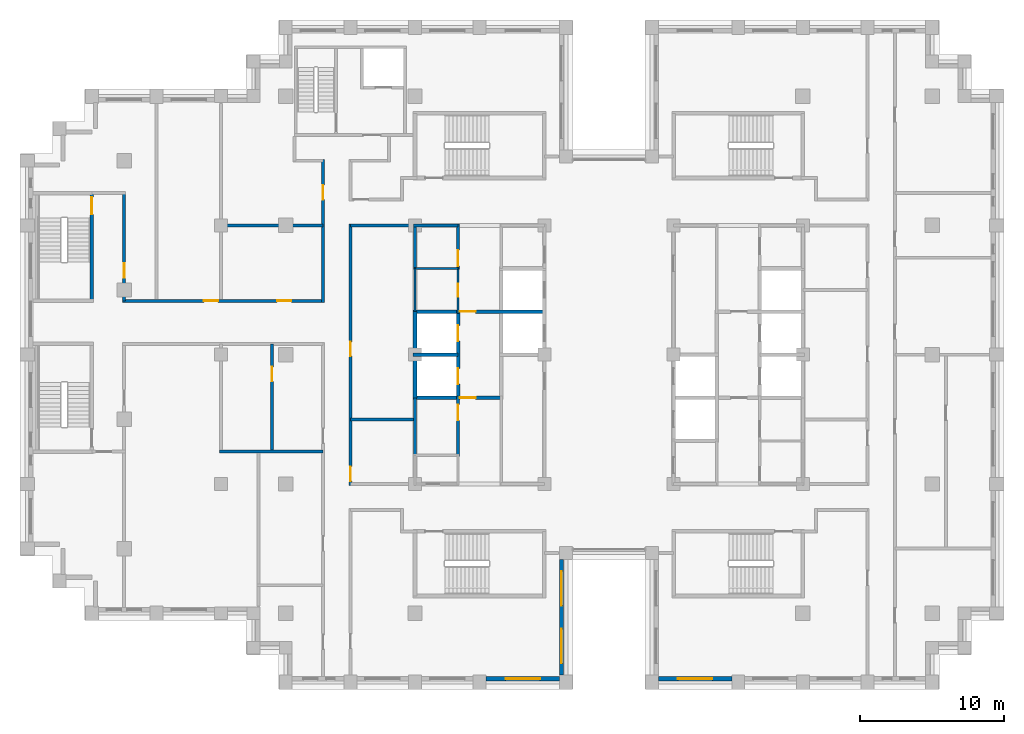
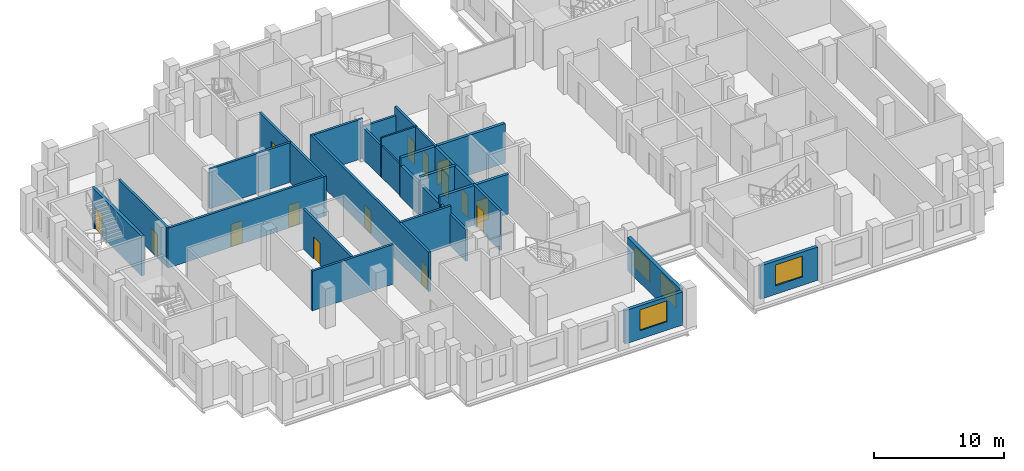
# One storey, part 7 of 15: 26 walls, 15 doors, 4 windows, 19 openings.
"""IFC4 building model written with IfcOpenShell, lengths in metres."""

from ifc_helpers import new_model, si_unit, direction, frame, frame_2d, origin, place, context, subcontext, project, spatial, rectangle, extrude, material, layer, layer_set, type_object, element, fill, save


model = new_model("IFC4")

# Units and contexts
model_context = context("Model", 3, precision=1e-05, world=origin(), true_north=direction((0.0, 1.0)))
body_context = subcontext(model_context, "Body", "Model", "MODEL_VIEW")
ifc_project = project(units=[si_unit("LENGTHUNIT", "METRE"), si_unit("AREAUNIT", "SQUARE_METRE"), si_unit("VOLUMEUNIT", "CUBIC_METRE"), si_unit("PLANEANGLEUNIT", "RADIAN"), si_unit("MASSUNIT", "GRAM", prefix="KILO")], contexts=[model_context])

# Site, building, storey
site_placement = place(None, origin())
site = spatial("IfcSite", under=ifc_project, at=site_placement, CompositionType="ELEMENT")
building_placement = place(site_placement, origin())
building = spatial("IfcBuilding", under=site, at=building_placement, Name="Corbelhall Arena Tower", CompositionType="ELEMENT")
storey_placement = place(building_placement, frame((0.0, 0.0, 192.0)))
storey = spatial("IfcBuildingStorey", under=building, at=storey_placement, Name="L39", CompositionType="ELEMENT", Elevation=192.0)

# Wall, opening, window
ifc_material_1 = material(Name="Precast concrete C40/50 with granite facing", Category="masonry")
ifc_layer_1 = layer(ifc_material_1, 0.300048828125)
ifc_layer_set_1 = layer_set([ifc_layer_1], Name="EV-IW1 Infill panel 300")
wall_type_1 = type_object("IfcWallType", Name="EV-IW1 Infill panel 300", PredefinedType="SOLIDWALL", material=ifc_layer_set_1)
wall_1_placement = place(storey_placement, frame((-8.550048828125, -22.550048828125, 0.0), z_axis=(0.0, 0.0, 1.0), x_axis=(1.0, 0.0, 0.0)))
wall_1 = element("IfcWall", 1, at=wall_1_placement, inside=storey, type_object=wall_type_1, Name="Infill panel IW1", PredefinedType="SOLIDWALL", context=body_context, shape_type="SweptSolid", body=[
    extrude(rectangle(XDim=5.10009765625, YDim=0.300048828125, at=frame_2d((2.550048828125, 0.0))), origin(), (0.0, 0.0, 1.0), 3.1201171875),
])
opening_1_placement = place(wall_1_placement, frame((1.35009765625, 0.0, 0.800048828125)))
opening_1 = element("IfcOpeningElement", 2, at=opening_1_placement, cuts=wall_1, Name="Opening WN1", PredefinedType="OPENING", context=body_context, shape_type="SweptSolid", body=[
    extrude(rectangle(XDim=2.39990234375, YDim=1.949951171875, at=frame_2d((1.199951171875, 0.97509765625))), frame((0.0, 0.14990234375, 0.0), z_axis=(0.0, -1.0, 0.0), x_axis=(1.0, 0.0, 0.0)), (0.0, 0.0, 1.0), 0.300048828125),
])
ifc_material_2 = material(Name="Aluminium black anodised", Category="aluminium")
window_type = type_object("IfcWindowType", Name="EV-WN1 Office window", PartitioningType="SINGLE_PANEL", PredefinedType="WINDOW", material=ifc_material_2)
window_1_placement = place(opening_1_placement, origin())
window_1 = element("IfcWindow", 3, at=window_1_placement, inside=storey, type_object=window_type, Name="Window WN1", OverallHeight=1.949951171875, OverallWidth=2.39990234375, PartitioningType="SINGLE_PANEL", PredefinedType="WINDOW", context=body_context, shape_type="SweptSolid", body=[
    extrude(rectangle(XDim=2.39990234375, YDim=1.949951171875, at=frame_2d((1.199951171875, 0.97509765625))), frame((0.0, 0.030029296875, 0.0), z_axis=(0.0, -1.0, 0.0), x_axis=(1.0, 0.0, 0.0)), (0.0, 0.0, 1.0), 0.06005859375),
])
fill(opening_1, window_1)

# Wall, openings, windows
wall_2_placement = place(storey_placement, frame((-3.300048828125, -22.300048828125, 0.0), z_axis=(0.0, 0.0, 1.0), x_axis=(0.0, 1.0, 0.0)))
wall_2 = element("IfcWall", 4, at=wall_2_placement, inside=storey, type_object=wall_type_1, Name="Infill panel IW1", PredefinedType="SOLIDWALL", context=body_context, shape_type="SweptSolid", body=[
    extrude(rectangle(XDim=8.050048828125, YDim=0.300048828125, at=frame_2d((4.02490234375, 0.0))), origin(), (0.0, 0.0, 1.0), 3.1201171875),
])
opening_2_placement = place(wall_2_placement, frame((0.8125, 0.0, 0.800048828125)))
opening_2 = element("IfcOpeningElement", 5, at=opening_2_placement, cuts=wall_2, Name="Opening WN1", PredefinedType="OPENING", context=body_context, shape_type="SweptSolid", body=[
    extrude(rectangle(XDim=2.39990234375, YDim=1.949951171875, at=frame_2d((1.199951171875, 0.97509765625))), frame((0.0, 0.14990234375, 0.0), z_axis=(0.0, -1.0, 0.0), x_axis=(1.0, 0.0, 0.0)), (0.0, 0.0, 1.0), 0.300048828125),
])
opening_3_placement = place(wall_2_placement, frame((4.83740234375, 0.0, 0.800048828125)))
opening_3 = element("IfcOpeningElement", 6, at=opening_3_placement, cuts=wall_2, Name="Opening WN1", PredefinedType="OPENING", context=body_context, shape_type="SweptSolid", body=[
    extrude(rectangle(XDim=2.39990234375, YDim=1.949951171875, at=frame_2d((1.199951171875, 0.97509765625))), frame((0.0, 0.14990234375, 0.0), z_axis=(0.0, -1.0, 0.0), x_axis=(1.0, 0.0, 0.0)), (0.0, 0.0, 1.0), 0.300048828125),
])
window_2_placement = place(opening_2_placement, origin())
window_2 = element("IfcWindow", 7, at=window_2_placement, inside=storey, type_object=window_type, Name="Window WN1", OverallHeight=1.949951171875, OverallWidth=2.39990234375, PartitioningType="SINGLE_PANEL", PredefinedType="WINDOW", context=body_context, shape_type="SweptSolid", body=[
    extrude(rectangle(XDim=2.39990234375, YDim=1.949951171875, at=frame_2d((1.199951171875, 0.97509765625))), frame((0.0, 0.030029296875, 0.0), z_axis=(0.0, -1.0, 0.0), x_axis=(1.0, 0.0, 0.0)), (0.0, 0.0, 1.0), 0.06005859375),
])
fill(opening_2, window_2)
window_3_placement = place(opening_3_placement, origin())
window_3 = element("IfcWindow", 8, at=window_3_placement, inside=storey, type_object=window_type, Name="Window WN1", OverallHeight=1.949951171875, OverallWidth=2.39990234375, PartitioningType="SINGLE_PANEL", PredefinedType="WINDOW", context=body_context, shape_type="SweptSolid", body=[
    extrude(rectangle(XDim=2.39990234375, YDim=1.949951171875, at=frame_2d((1.199951171875, 0.97509765625))), frame((0.0, 0.030029296875, 0.0), z_axis=(0.0, -1.0, 0.0), x_axis=(1.0, 0.0, 0.0)), (0.0, 0.0, 1.0), 0.06005859375),
])
fill(opening_3, window_3)

# Wall, opening, window
wall_3_placement = place(storey_placement, frame((3.449951171875, -22.550048828125, 0.0), z_axis=(0.0, 0.0, 1.0), x_axis=(1.0, 0.0, 0.0)))
wall_3 = element("IfcWall", 9, at=wall_3_placement, inside=storey, type_object=wall_type_1, Name="Infill panel IW1", PredefinedType="SOLIDWALL", context=body_context, shape_type="SweptSolid", body=[
    extrude(rectangle(XDim=5.10009765625, YDim=0.300048828125, at=frame_2d((2.550048828125, 0.0))), origin(), (0.0, 0.0, 1.0), 3.1201171875),
])
opening_4_placement = place(wall_3_placement, frame((1.35009765625, 0.0, 0.800048828125)))
opening_4 = element("IfcOpeningElement", 10, at=opening_4_placement, cuts=wall_3, Name="Opening WN1", PredefinedType="OPENING", context=body_context, shape_type="SweptSolid", body=[
    extrude(rectangle(XDim=2.39990234375, YDim=1.949951171875, at=frame_2d((1.199951171875, 0.97509765625))), frame((0.0, 0.14990234375, 0.0), z_axis=(0.0, -1.0, 0.0), x_axis=(1.0, 0.0, 0.0)), (0.0, 0.0, 1.0), 0.300048828125),
])
window_4_placement = place(opening_4_placement, origin())
window_4 = element("IfcWindow", 11, at=window_4_placement, inside=storey, type_object=window_type, Name="Window WN1", OverallHeight=1.949951171875, OverallWidth=2.39990234375, PartitioningType="SINGLE_PANEL", PredefinedType="WINDOW", context=body_context, shape_type="SweptSolid", body=[
    extrude(rectangle(XDim=2.39990234375, YDim=1.949951171875, at=frame_2d((1.199951171875, 0.97509765625))), frame((0.0, 0.030029296875, 0.0), z_axis=(0.0, -1.0, 0.0), x_axis=(1.0, 0.0, 0.0)), (0.0, 0.0, 1.0), 0.06005859375),
])
fill(opening_4, window_4)

# Wall, openings, doors
ifc_material_3 = material(Name="Gypsum board on steel stud, acoustic", Category="steel")
ifc_layer_2 = layer(ifc_material_3, 0.199951171875)
ifc_layer_set_2 = layer_set([ifc_layer_2], Name="IN-W-DM200")
wall_type_2 = type_object("IfcWallType", Name="IN-W-DM200", PredefinedType="PARTITIONING", material=ifc_layer_set_2)
wall_4_placement = place(storey_placement, frame((-33.85009765625, 3.75, 0.0), z_axis=(0.0, 0.0, 1.0), x_axis=(1.0, 0.0, 0.0)))
wall_4 = element("IfcWall", 12, at=wall_4_placement, inside=storey, type_object=wall_type_2, Name="Partition 002", PredefinedType="PARTITIONING", context=body_context, shape_type="SweptSolid", body=[
    extrude(rectangle(XDim=13.9501953125, YDim=0.199951171875, at=frame_2d((6.97509765625, 0.0))), origin(), (0.0, 0.0, 1.0), 3.719970703125),
])
opening_5_placement = place(wall_4_placement, frame((10.75, 0.0, 0.0)))
opening_5 = element("IfcOpeningElement", 13, at=opening_5_placement, cuts=wall_4, Name="Opening 11031", PredefinedType="OPENING", context=body_context, shape_type="SweptSolid", body=[
    extrude(rectangle(XDim=1.0, YDim=2.10009765625, at=frame_2d((0.5, 1.050048828125))), frame((0.0, 0.10009765625, 0.0), z_axis=(0.0, -1.0, 0.0), x_axis=(1.0, 0.0, 0.0)), (0.0, 0.0, 1.0), 0.199951171875),
])
opening_6_placement = place(wall_4_placement, frame((5.64990234375, 0.0, 0.0)))
opening_6 = element("IfcOpeningElement", 14, at=opening_6_placement, cuts=wall_4, Name="Opening 11044", PredefinedType="OPENING", context=body_context, shape_type="SweptSolid", body=[
    extrude(rectangle(XDim=1.0, YDim=2.10009765625, at=frame_2d((0.5, 1.050048828125))), frame((0.0, 0.10009765625, 0.0), z_axis=(0.0, -1.0, 0.0), x_axis=(1.0, 0.0, 0.0)), (0.0, 0.0, 1.0), 0.199951171875),
])
ifc_material_4 = material(Name="Steel door set", Category="steel")
door_type_1 = type_object("IfcDoorType", Name="IN-D-SW100", OperationType="NOTDEFINED", PredefinedType="DOOR", material=ifc_material_4)
door_1_placement = place(opening_5_placement, origin())
door_1 = element("IfcDoor", 15, at=door_1_placement, inside=storey, type_object=door_type_1, Name="Door 031", OperationType="SINGLE_SWING_RIGHT", OverallHeight=2.10009765625, OverallWidth=1.0, PredefinedType="DOOR", context=body_context, shape_type="SweptSolid", body=[
    extrude(rectangle(XDim=1.0, YDim=2.10009765625, at=frame_2d((0.5, 1.050048828125))), frame((0.0, 0.02490234375, 0.0), z_axis=(0.0, -1.0, 0.0), x_axis=(1.0, 0.0, 0.0)), (0.0, 0.0, 1.0), 0.050048828125),
])
fill(opening_5, door_1)
door_2_placement = place(opening_6_placement, origin())
door_2 = element("IfcDoor", 16, at=door_2_placement, inside=storey, type_object=door_type_1, Name="Door 044", OperationType="SINGLE_SWING_LEFT", OverallHeight=2.10009765625, OverallWidth=1.0, PredefinedType="DOOR", context=body_context, shape_type="SweptSolid", body=[
    extrude(rectangle(XDim=1.0, YDim=2.10009765625, at=frame_2d((0.5, 1.050048828125))), frame((0.0, 0.02490234375, 0.0), z_axis=(0.0, -1.0, 0.0), x_axis=(1.0, 0.0, 0.0)), (0.0, 0.0, 1.0), 0.050048828125),
])
fill(opening_6, door_2)

# Wall, opening, door
wall_5_placement = place(storey_placement, frame((-33.75, 11.25, 0.0), z_axis=(0.0, 0.0, 1.0), x_axis=(0.0, -1.0, 0.0)))
wall_5 = element("IfcWall", 17, at=wall_5_placement, inside=storey, type_object=wall_type_2, Name="Partition 004", PredefinedType="PARTITIONING", context=body_context, shape_type="SweptSolid", body=[
    extrude(rectangle(XDim=7.5, YDim=0.199951171875, at=frame_2d((3.75, 0.0))), origin(), (0.0, 0.0, 1.0), 3.719970703125),
])
opening_7_placement = place(wall_5_placement, frame((4.89990234375, 0.0, 0.0)))
opening_7 = element("IfcOpeningElement", 18, at=opening_7_placement, cuts=wall_5, Name="Opening 11043", PredefinedType="OPENING", context=body_context, shape_type="SweptSolid", body=[
    extrude(rectangle(XDim=1.0, YDim=2.10009765625, at=frame_2d((0.5, 1.050048828125))), frame((0.0, 0.10009765625, 0.0), z_axis=(0.0, -1.0, 0.0), x_axis=(1.0, 0.0, 0.0)), (0.0, 0.0, 1.0), 0.199951171875),
])
door_3_placement = place(opening_7_placement, origin())
door_3 = element("IfcDoor", 19, at=door_3_placement, inside=storey, type_object=door_type_1, Name="Door 043", OperationType="SINGLE_SWING_RIGHT", OverallHeight=2.10009765625, OverallWidth=1.0, PredefinedType="DOOR", context=body_context, shape_type="SweptSolid", body=[
    extrude(rectangle(XDim=1.0, YDim=2.10009765625, at=frame_2d((0.5, 1.050048828125))), frame((0.0, 0.02490234375, 0.0), z_axis=(0.0, -1.0, 0.0), x_axis=(1.0, 0.0, 0.0)), (0.0, 0.0, 1.0), 0.050048828125),
])
fill(opening_7, door_3)

# Walls
for number, where, z_axis, x_axis, name in (
    (20, (-27.10009765625, 9.0, 0.0), (0.0, 0.0, 1.0), (1.0, 0.0, 0.0), "Partition 007"),
    (21, (-27.10009765625, -6.75, 0.0), (0.0, 0.0, 1.0), (1.0, 0.0, 0.0), "Partition 012"),
):
    element("IfcWall", number, at=place(storey_placement, frame(where, z_axis=z_axis, x_axis=x_axis)), inside=storey, type_object=wall_type_2, Name=name, PredefinedType="PARTITIONING", context=body_context, shape_type="SweptSolid", body=[
        extrude(rectangle(XDim=7.2001953125, YDim=0.199951171875, at=frame_2d((3.60009765625, 0.0))), origin(), (0.0, 0.0, 1.0), 3.719970703125),
    ])

# Wall, opening, door
wall_6_placement = place(storey_placement, frame((-23.449951171875, -6.75, 0.0), z_axis=(0.0, 0.0, 1.0), x_axis=(0.0, 1.0, 0.0)))
wall_6 = element("IfcWall", 22, at=wall_6_placement, inside=storey, type_object=wall_type_2, Name="Partition 014", PredefinedType="PARTITIONING", context=body_context, shape_type="SweptSolid", body=[
    extrude(rectangle(XDim=7.5, YDim=0.199951171875, at=frame_2d((3.75, 0.0))), origin(), (0.0, 0.0, 1.0), 3.719970703125),
])
opening_8_placement = place(wall_6_placement, frame((4.89990234375, 0.0, 0.0)))
opening_8 = element("IfcOpeningElement", 23, at=opening_8_placement, cuts=wall_6, Name="Opening 11036", PredefinedType="OPENING", context=body_context, shape_type="SweptSolid", body=[
    extrude(rectangle(XDim=1.0, YDim=2.10009765625, at=frame_2d((0.5, 1.050048828125))), frame((0.0, 0.10009765625, 0.0), z_axis=(0.0, -1.0, 0.0), x_axis=(1.0, 0.0, 0.0)), (0.0, 0.0, 1.0), 0.199951171875),
])
door_4_placement = place(opening_8_placement, origin())
door_4 = element("IfcDoor", 24, at=door_4_placement, inside=storey, type_object=door_type_1, Name="Door 036", OperationType="SINGLE_SWING_LEFT", OverallHeight=2.10009765625, OverallWidth=1.0, PredefinedType="DOOR", context=body_context, shape_type="SweptSolid", body=[
    extrude(rectangle(XDim=1.0, YDim=2.10009765625, at=frame_2d((0.5, 1.050048828125))), frame((0.0, 0.02490234375, 0.0), z_axis=(0.0, -1.0, 0.0), x_axis=(1.0, 0.0, 0.0)), (0.0, 0.0, 1.0), 0.050048828125),
])
fill(opening_8, door_4)

wall_7_placement = place(storey_placement, frame((-19.89990234375, 3.64990234375, 0.0), z_axis=(0.0, 0.0, 1.0), x_axis=(0.0, 1.0, 0.0)))
wall_7 = element("IfcWall", 25, at=wall_7_placement, inside=storey, type_object=wall_type_2, Name="Partition 017", PredefinedType="PARTITIONING", context=body_context, shape_type="SweptSolid", body=[
    extrude(rectangle(XDim=9.9501953125, YDim=0.199951171875, at=frame_2d((4.97509765625, 0.0))), origin(), (0.0, 0.0, 1.0), 3.719970703125),
])
opening_9_placement = place(wall_7_placement, frame((7.14990234375, 0.0, 0.0)))
opening_9 = element("IfcOpeningElement", 26, at=opening_9_placement, cuts=wall_7, Name="Opening 11032", PredefinedType="OPENING", context=body_context, shape_type="SweptSolid", body=[
    extrude(rectangle(XDim=1.0, YDim=2.10009765625, at=frame_2d((0.5, 1.050048828125))), frame((0.0, 0.10009765625, 0.0), z_axis=(0.0, -1.0, 0.0), x_axis=(1.0, 0.0, 0.0)), (0.0, 0.0, 1.0), 0.199951171875),
])
door_5_placement = place(opening_9_placement, origin())
door_5 = element("IfcDoor", 27, at=door_5_placement, inside=storey, type_object=door_type_1, Name="Door 032", OperationType="SINGLE_SWING_LEFT", OverallHeight=2.10009765625, OverallWidth=1.0, PredefinedType="DOOR", context=body_context, shape_type="SweptSolid", body=[
    extrude(rectangle(XDim=1.0, YDim=2.10009765625, at=frame_2d((0.5, 1.050048828125))), frame((0.0, 0.02490234375, 0.0), z_axis=(0.0, -1.0, 0.0), x_axis=(1.0, 0.0, 0.0)), (0.0, 0.0, 1.0), 0.050048828125),
])
fill(opening_9, door_5)

# Wall
wall_8_placement = place(storey_placement, frame((-18.0, -4.5, 0.0), z_axis=(0.0, 0.0, 1.0), x_axis=(1.0, 0.0, 0.0)))
element("IfcWall", 28, at=wall_8_placement, inside=storey, type_object=wall_type_2, Name="Partition 021", PredefinedType="PARTITIONING", context=body_context, shape_type="SweptSolid", body=[
    extrude(rectangle(XDim=4.5, YDim=0.199951171875, at=frame_2d((2.25, 0.0))), origin(), (0.0, 0.0, 1.0), 3.719970703125),
])

# Wall, openings, doors
wall_9_placement = place(storey_placement, frame((-18.0, 9.10009765625, 0.0), z_axis=(0.0, 0.0, 1.0), x_axis=(0.0, -1.0, 0.0)))
wall_9 = element("IfcWall", 29, at=wall_9_placement, inside=storey, type_object=wall_type_2, Name="Partition 022", PredefinedType="PARTITIONING", context=body_context, shape_type="SweptSolid", body=[
    extrude(rectangle(XDim=18.2001953125, YDim=0.199951171875, at=frame_2d((9.10009765625, 0.0))), origin(), (0.0, 0.0, 1.0), 3.719970703125),
])
opening_10_placement = place(wall_9_placement, frame((16.89990234375, 0.0, 0.0)))
opening_10 = element("IfcOpeningElement", 30, at=opening_10_placement, cuts=wall_9, Name="Opening 11022", PredefinedType="OPENING", context=body_context, shape_type="SweptSolid", body=[
    extrude(rectangle(XDim=1.0, YDim=2.10009765625, at=frame_2d((0.5, 1.050048828125))), frame((0.0, 0.10009765625, 0.0), z_axis=(0.0, -1.0, 0.0), x_axis=(1.0, 0.0, 0.0)), (0.0, 0.0, 1.0), 0.199951171875),
])
opening_11_placement = place(wall_9_placement, frame((8.199951171875, 0.0, 0.0)))
opening_11 = element("IfcOpeningElement", 31, at=opening_11_placement, cuts=wall_9, Name="Opening 11023", PredefinedType="OPENING", context=body_context, shape_type="SweptSolid", body=[
    extrude(rectangle(XDim=1.0, YDim=2.10009765625, at=frame_2d((0.5, 1.050048828125))), frame((0.0, 0.10009765625, 0.0), z_axis=(0.0, -1.0, 0.0), x_axis=(1.0, 0.0, 0.0)), (0.0, 0.0, 1.0), 0.199951171875),
])
door_6_placement = place(opening_10_placement, origin())
door_6 = element("IfcDoor", 32, at=door_6_placement, inside=storey, type_object=door_type_1, Name="Door 022", OperationType="SINGLE_SWING_LEFT", OverallHeight=2.10009765625, OverallWidth=1.0, PredefinedType="DOOR", context=body_context, shape_type="SweptSolid", body=[
    extrude(rectangle(XDim=1.0, YDim=2.10009765625, at=frame_2d((0.5, 1.050048828125))), frame((0.0, 0.02490234375, 0.0), z_axis=(0.0, -1.0, 0.0), x_axis=(1.0, 0.0, 0.0)), (0.0, 0.0, 1.0), 0.050048828125),
])
fill(opening_10, door_6)
door_7_placement = place(opening_11_placement, origin())
door_7 = element("IfcDoor", 33, at=door_7_placement, inside=storey, type_object=door_type_1, Name="Door 023", OperationType="SINGLE_SWING_RIGHT", OverallHeight=2.10009765625, OverallWidth=1.0, PredefinedType="DOOR", context=body_context, shape_type="SweptSolid", body=[
    extrude(rectangle(XDim=1.0, YDim=2.10009765625, at=frame_2d((0.5, 1.050048828125))), frame((0.0, 0.02490234375, 0.0), z_axis=(0.0, -1.0, 0.0), x_axis=(1.0, 0.0, 0.0)), (0.0, 0.0, 1.0), 0.050048828125),
])
fill(opening_11, door_7)

# Wall
wall_10_placement = place(storey_placement, frame((-13.5, 9.0, 0.0), z_axis=(0.0, 0.0, 1.0), x_axis=(-1.0, 0.0, 0.0)))
element("IfcWall", 34, at=wall_10_placement, inside=storey, type_object=wall_type_2, Name="Partition 030", PredefinedType="PARTITIONING", context=body_context, shape_type="SweptSolid", body=[
    extrude(rectangle(XDim=4.5, YDim=0.199951171875, at=frame_2d((2.25, 0.0))), origin(), (0.0, 0.0, 1.0), 3.719970703125),
])

# Wall, opening, door
ifc_material_5 = material(Name="Concrete block wall", Category="concrete")
ifc_layer_3 = layer(ifc_material_5, 0.199951171875)
ifc_layer_set_3 = layer_set([ifc_layer_3], Name="IN-W-RS200")
wall_type_3 = type_object("IfcWallType", Name="IN-W-RS200", PredefinedType="SOLIDWALL", material=ifc_layer_set_3)
wall_11_placement = place(storey_placement, frame((-10.5, -7.074951171875, 0.0), z_axis=(0.0, 0.0, 1.0), x_axis=(0.0, 1.0, 0.0)))
wall_11 = element("IfcWall", 35, at=wall_11_placement, inside=storey, type_object=wall_type_3, Name="Partition 059", PredefinedType="SOLIDWALL", context=body_context, shape_type="SweptSolid", body=[
    extrude(rectangle(XDim=4.199951171875, YDim=0.199951171875, at=frame_2d((2.10009765625, 0.0))), origin(), (0.0, 0.0, 1.0), 3.719970703125),
])
opening_12_placement = place(wall_11_placement, frame((2.5, 0.0, 0.0)))
opening_12 = element("IfcOpeningElement", 36, at=opening_12_placement, cuts=wall_11, Name="Opening 11006", PredefinedType="OPENING", context=body_context, shape_type="SweptSolid", body=[
    extrude(rectangle(XDim=1.10009765625, YDim=2.10009765625, at=frame_2d((0.550048828125, 1.050048828125))), frame((0.0, 0.10009765625, 0.0), z_axis=(0.0, -1.0, 0.0), x_axis=(1.0, 0.0, 0.0)), (0.0, 0.0, 1.0), 0.199951171875),
])
door_type_2 = type_object("IfcDoorType", Name="IN-D-FD110", OperationType="NOTDEFINED", PredefinedType="DOOR", material=ifc_material_4)
door_8_placement = place(opening_12_placement, origin())
door_8 = element("IfcDoor", 37, at=door_8_placement, inside=storey, type_object=door_type_2, Name="Door 006", OperationType="SINGLE_SWING_LEFT", OverallHeight=2.10009765625, OverallWidth=1.10009765625, PredefinedType="DOOR", context=body_context, shape_type="SweptSolid", body=[
    extrude(rectangle(XDim=1.10009765625, YDim=2.10009765625, at=frame_2d((0.550048828125, 1.050048828125))), frame((0.0, 0.02490234375, 0.0), z_axis=(0.0, -1.0, 0.0), x_axis=(1.0, 0.0, 0.0)), (0.0, 0.0, 1.0), 0.050048828125),
])
fill(opening_12, door_8)

wall_12_placement = place(storey_placement, frame((-10.5, 5.925048828125, 0.0), z_axis=(0.0, 0.0, 1.0), x_axis=(0.0, 1.0, 0.0)))
wall_12 = element("IfcWall", 38, at=wall_12_placement, inside=storey, type_object=wall_type_3, Name="Partition 060", PredefinedType="SOLIDWALL", context=body_context, shape_type="SweptSolid", body=[
    extrude(rectangle(XDim=3.175048828125, YDim=0.199951171875, at=frame_2d((1.58740234375, 0.0))), origin(), (0.0, 0.0, 1.0), 3.719970703125),
])
opening_13_placement = place(wall_12_placement, frame((0.25, 0.0, 0.0)))
opening_13 = element("IfcOpeningElement", 39, at=opening_13_placement, cuts=wall_12, Name="Opening 11008", PredefinedType="OPENING", context=body_context, shape_type="SweptSolid", body=[
    extrude(rectangle(XDim=1.10009765625, YDim=2.10009765625, at=frame_2d((0.550048828125, 1.050048828125))), frame((0.0, 0.10009765625, 0.0), z_axis=(0.0, -1.0, 0.0), x_axis=(1.0, 0.0, 0.0)), (0.0, 0.0, 1.0), 0.199951171875),
])
door_9_placement = place(opening_13_placement, origin())
door_9 = element("IfcDoor", 40, at=door_9_placement, inside=storey, type_object=door_type_2, Name="Door 008", OperationType="SINGLE_SWING_LEFT", OverallHeight=2.10009765625, OverallWidth=1.10009765625, PredefinedType="DOOR", context=body_context, shape_type="SweptSolid", body=[
    extrude(rectangle(XDim=1.10009765625, YDim=2.10009765625, at=frame_2d((0.550048828125, 1.050048828125))), frame((0.0, 0.02490234375, 0.0), z_axis=(0.0, -1.0, 0.0), x_axis=(1.0, 0.0, 0.0)), (0.0, 0.0, 1.0), 0.050048828125),
])
fill(opening_13, door_9)

# Walls
ifc_layer_4 = layer(ifc_material_5, 0.199951171875)
ifc_layer_set_4 = layer_set([ifc_layer_4], Name="IN-W-RS200 under beam 762 mm")
wall_type_4 = type_object("IfcWallType", Name="IN-W-RS200 under beam 762 mm", PredefinedType="SOLIDWALL", material=ifc_layer_set_4)
wall_13_placement = place(storey_placement, frame((-13.60009765625, 9.0, 0.0), z_axis=(0.0, 0.0, 1.0), x_axis=(1.0, 0.0, 0.0)))
element("IfcWall", 41, at=wall_13_placement, inside=storey, type_object=wall_type_4, Name="Partition 056", PredefinedType="SOLIDWALL", context=body_context, shape_type="SweptSolid", body=[
    extrude(rectangle(XDim=3.10009765625, YDim=0.199951171875, at=frame_2d((1.550048828125, 0.0))), origin(), (0.0, 0.0, 1.0), 2.9580078125),
])
wall_14_placement = place(storey_placement, frame((-13.5, -7.0, 0.0), z_axis=(0.0, 0.0, 1.0), x_axis=(0.0, 1.0, 0.0)))
element("IfcWall", 42, at=wall_14_placement, inside=storey, type_object=wall_type_4, Name="Partition 057", PredefinedType="SOLIDWALL", context=body_context, shape_type="SweptSolid", body=[
    extrude(rectangle(XDim=4.0, YDim=0.199951171875, at=frame_2d((2.0, 0.0))), origin(), (0.0, 0.0, 1.0), 2.9580078125),
])
wall_15_placement = place(storey_placement, frame((-13.5, 6.0, 0.0), z_axis=(0.0, 0.0, 1.0), x_axis=(0.0, 1.0, 0.0)))
element("IfcWall", 43, at=wall_15_placement, inside=storey, type_object=wall_type_4, Name="Partition 058", PredefinedType="SOLIDWALL", context=body_context, shape_type="SweptSolid", body=[
    extrude(rectangle(XDim=3.10009765625, YDim=0.199951171875, at=frame_2d((1.550048828125, 0.0))), origin(), (0.0, 0.0, 1.0), 2.9580078125),
])
ifc_material_6 = material(Name="Concrete C40/50", Category="concrete")
ifc_layer_5 = layer(ifc_material_6, 0.25)
ifc_layer_set_5 = layer_set([ifc_layer_5], Name="IN-W-SH250")
wall_type_5 = type_object("IfcWallType", Name="IN-W-SH250", PredefinedType="SOLIDWALL", material=ifc_layer_set_5)
wall_16_placement = place(storey_placement, frame((-13.625, 0.0, 0.0), z_axis=(0.0, 0.0, 1.0), x_axis=(1.0, 0.0, 0.0)))
element("IfcWall", 44, at=wall_16_placement, inside=storey, type_object=wall_type_5, Name="Shaft wall 078", PredefinedType="SOLIDWALL", context=body_context, shape_type="SweptSolid", body=[
    extrude(rectangle(XDim=3.125, YDim=0.25, at=frame_2d((1.5625, 0.0))), origin(), (0.0, 0.0, 1.0), 3.719970703125),
])

# Wall, opening, door
wall_17_placement = place(storey_placement, frame((-13.625, 3.0, 0.0), z_axis=(0.0, 0.0, 1.0), x_axis=(1.0, 0.0, 0.0)))
wall_17 = element("IfcWall", 45, at=wall_17_placement, inside=storey, type_object=wall_type_5, Name="Shaft wall 079", PredefinedType="SOLIDWALL", context=body_context, shape_type="SweptSolid", body=[
    extrude(rectangle(XDim=9.25, YDim=0.25, at=frame_2d((4.625, 0.0))), origin(), (0.0, 0.0, 1.0), 3.719970703125),
])
opening_14_placement = place(wall_17_placement, frame((3.25, 0.0, 0.0)))
opening_14 = element("IfcOpeningElement", 46, at=opening_14_placement, cuts=wall_17, Name="Opening 11004", PredefinedType="OPENING", context=body_context, shape_type="SweptSolid", body=[
    extrude(rectangle(XDim=1.10009765625, YDim=2.10009765625, at=frame_2d((0.550048828125, 1.050048828125))), frame((0.0, 0.125, 0.0), z_axis=(0.0, -1.0, 0.0), x_axis=(1.0, 0.0, 0.0)), (0.0, 0.0, 1.0), 0.25),
])
door_10_placement = place(opening_14_placement, origin())
door_10 = element("IfcDoor", 47, at=door_10_placement, inside=storey, type_object=door_type_2, Name="Door 004", OperationType="SINGLE_SWING_LEFT", OverallHeight=2.10009765625, OverallWidth=1.10009765625, PredefinedType="DOOR", context=body_context, shape_type="SweptSolid", body=[
    extrude(rectangle(XDim=1.10009765625, YDim=2.10009765625, at=frame_2d((0.550048828125, 1.050048828125))), frame((0.0, 0.02490234375, 0.0), z_axis=(0.0, -1.0, 0.0), x_axis=(1.0, 0.0, 0.0)), (0.0, 0.0, 1.0), 0.050048828125),
])
fill(opening_14, door_10)

wall_18_placement = place(storey_placement, frame((-13.625, -3.0, 0.0), z_axis=(0.0, 0.0, 1.0), x_axis=(1.0, 0.0, 0.0)))
wall_18 = element("IfcWall", 48, at=wall_18_placement, inside=storey, type_object=wall_type_5, Name="Shaft wall 081", PredefinedType="SOLIDWALL", context=body_context, shape_type="SweptSolid", body=[
    extrude(rectangle(XDim=6.125, YDim=0.25, at=frame_2d((3.0625, 0.0))), origin(), (0.0, 0.0, 1.0), 3.719970703125),
])
opening_15_placement = place(wall_18_placement, frame((3.25, 0.0, 0.0)))
opening_15 = element("IfcOpeningElement", 49, at=opening_15_placement, cuts=wall_18, Name="Opening 11003", PredefinedType="OPENING", context=body_context, shape_type="SweptSolid", body=[
    extrude(rectangle(XDim=1.10009765625, YDim=2.10009765625, at=frame_2d((0.550048828125, 1.050048828125))), frame((0.0, 0.125, 0.0), z_axis=(0.0, -1.0, 0.0), x_axis=(1.0, 0.0, 0.0)), (0.0, 0.0, 1.0), 0.25),
])
door_11_placement = place(opening_15_placement, origin())
door_11 = element("IfcDoor", 50, at=door_11_placement, inside=storey, type_object=door_type_2, Name="Door 003", OperationType="SINGLE_SWING_RIGHT", OverallHeight=2.10009765625, OverallWidth=1.10009765625, PredefinedType="DOOR", context=body_context, shape_type="SweptSolid", body=[
    extrude(rectangle(XDim=1.10009765625, YDim=2.10009765625, at=frame_2d((0.550048828125, 1.050048828125))), frame((0.0, 0.02490234375, 0.0), z_axis=(0.0, -1.0, 0.0), x_axis=(1.0, 0.0, 0.0)), (0.0, 0.0, 1.0), 0.050048828125),
])
fill(opening_15, door_11)

# Wall, openings, doors
wall_19_placement = place(storey_placement, frame((-10.5, -3.125, 0.0), z_axis=(0.0, 0.0, 1.0), x_axis=(0.0, 1.0, 0.0)))
wall_19 = element("IfcWall", 51, at=wall_19_placement, inside=storey, type_object=wall_type_5, Name="Shaft wall 082", PredefinedType="SOLIDWALL", context=body_context, shape_type="SweptSolid", body=[
    extrude(rectangle(XDim=6.25, YDim=0.25, at=frame_2d((3.125, 0.0))), origin(), (0.0, 0.0, 1.0), 3.719970703125),
])
opening_16_placement = place(wall_19_placement, frame((1.074951171875, 0.0, 0.0)))
opening_16 = element("IfcOpeningElement", 52, at=opening_16_placement, cuts=wall_19, Name="Opening LD", PredefinedType="OPENING", context=body_context, shape_type="SweptSolid", body=[
    extrude(rectangle(XDim=1.10009765625, YDim=2.10009765625, at=frame_2d((0.550048828125, 1.050048828125))), frame((0.0, 0.125, 0.0), z_axis=(0.0, -1.0, 0.0), x_axis=(1.0, 0.0, 0.0)), (0.0, 0.0, 1.0), 0.25),
])
opening_17_placement = place(wall_19_placement, frame((4.074951171875, 0.0, 0.0)))
opening_17 = element("IfcOpeningElement", 53, at=opening_17_placement, cuts=wall_19, Name="Opening LD", PredefinedType="OPENING", context=body_context, shape_type="SweptSolid", body=[
    extrude(rectangle(XDim=1.10009765625, YDim=2.10009765625, at=frame_2d((0.550048828125, 1.050048828125))), frame((0.0, 0.125, 0.0), z_axis=(0.0, -1.0, 0.0), x_axis=(1.0, 0.0, 0.0)), (0.0, 0.0, 1.0), 0.25),
])
door_type_3 = type_object("IfcDoorType", Name="IN-D-LD110", OperationType="NOTDEFINED", PredefinedType="DOOR", material=ifc_material_4)
door_12_placement = place(opening_16_placement, origin())
door_12 = element("IfcDoor", 54, at=door_12_placement, inside=storey, type_object=door_type_3, Name="Landing door W3", OperationType="SLIDING_TO_LEFT", OverallHeight=2.10009765625, OverallWidth=1.10009765625, PredefinedType="DOOR", context=body_context, shape_type="SweptSolid", body=[
    extrude(rectangle(XDim=1.10009765625, YDim=2.10009765625, at=frame_2d((0.550048828125, 1.050048828125))), frame((0.0, 0.02490234375, 0.0), z_axis=(0.0, -1.0, 0.0), x_axis=(1.0, 0.0, 0.0)), (0.0, 0.0, 1.0), 0.050048828125),
])
fill(opening_16, door_12)
door_13_placement = place(opening_17_placement, origin())
door_13 = element("IfcDoor", 55, at=door_13_placement, inside=storey, type_object=door_type_3, Name="Landing door W4", OperationType="SLIDING_TO_LEFT", OverallHeight=2.10009765625, OverallWidth=1.10009765625, PredefinedType="DOOR", context=body_context, shape_type="SweptSolid", body=[
    extrude(rectangle(XDim=1.10009765625, YDim=2.10009765625, at=frame_2d((0.550048828125, 1.050048828125))), frame((0.0, 0.02490234375, 0.0), z_axis=(0.0, -1.0, 0.0), x_axis=(1.0, 0.0, 0.0)), (0.0, 0.0, 1.0), 0.050048828125),
])
fill(opening_17, door_13)

# Wall
ifc_layer_6 = layer(ifc_material_6, 0.25)
ifc_layer_set_6 = layer_set([ifc_layer_6], Name="IN-W-SH250 under beam 762 mm")
wall_type_6 = type_object("IfcWallType", Name="IN-W-SH250 under beam 762 mm", PredefinedType="SOLIDWALL", material=ifc_layer_set_6)
wall_20_placement = place(storey_placement, frame((-13.5, -3.0, 0.0), z_axis=(0.0, 0.0, 1.0), x_axis=(0.0, 1.0, 0.0)))
element("IfcWall", 56, at=wall_20_placement, inside=storey, type_object=wall_type_6, Name="Shaft wall 080", PredefinedType="SOLIDWALL", context=body_context, shape_type="SweptSolid", body=[
    extrude(rectangle(XDim=6.0, YDim=0.25, at=frame_2d((3.0, 0.0))), origin(), (0.0, 0.0, 1.0), 2.9580078125),
])

# Wall, opening, door
ifc_layer_7 = layer(ifc_material_6, 0.25)
ifc_layer_set_7 = layer_set([ifc_layer_7], Name="IN-W-ST250")
wall_type_7 = type_object("IfcWallType", Name="IN-W-ST250", PredefinedType="SOLIDWALL", material=ifc_layer_set_7)
wall_21_placement = place(storey_placement, frame((-36.0, 11.375, 0.0), z_axis=(0.0, 0.0, 1.0), x_axis=(0.0, -1.0, 0.0)))
wall_21 = element("IfcWall", 57, at=wall_21_placement, inside=storey, type_object=wall_type_7, Name="Shaft wall 101", PredefinedType="SOLIDWALL", context=body_context, shape_type="SweptSolid", body=[
    extrude(rectangle(XDim=7.625, YDim=0.25, at=frame_2d((3.8125, 0.0))), origin(), (0.0, 0.0, 1.0), 3.719970703125),
])
opening_18_placement = place(wall_21_placement, frame((0.39990234375, 0.0, 0.0)))
opening_18 = element("IfcOpeningElement", 58, at=opening_18_placement, cuts=wall_21, Name="Opening 11020", PredefinedType="OPENING", context=body_context, shape_type="SweptSolid", body=[
    extrude(rectangle(XDim=1.199951171875, YDim=2.10009765625, at=frame_2d((0.60009765625, 1.050048828125))), frame((0.0, 0.125, 0.0), z_axis=(0.0, -1.0, 0.0), x_axis=(1.0, 0.0, 0.0)), (0.0, 0.0, 1.0), 0.25),
])
door_type_4 = type_object("IfcDoorType", Name="IN-D-ST120", OperationType="NOTDEFINED", PredefinedType="DOOR", material=ifc_material_4)
door_14_placement = place(opening_18_placement, origin())
door_14 = element("IfcDoor", 59, at=door_14_placement, inside=storey, type_object=door_type_4, Name="Door 020", OperationType="SINGLE_SWING_LEFT", OverallHeight=2.10009765625, OverallWidth=1.199951171875, PredefinedType="DOOR", context=body_context, shape_type="SweptSolid", body=[
    extrude(rectangle(XDim=1.199951171875, YDim=2.10009765625, at=frame_2d((0.60009765625, 1.050048828125))), frame((0.0, 0.02490234375, 0.0), z_axis=(0.0, -1.0, 0.0), x_axis=(1.0, 0.0, 0.0)), (0.0, 0.0, 1.0), 0.050048828125),
])
fill(opening_18, door_14)

# Wall
ifc_material_7 = material(Name="Gypsum board on steel stud, moisture resistant", Category="steel")
ifc_layer_8 = layer(ifc_material_7, 0.14990234375)
ifc_layer_set_8 = layer_set([ifc_layer_8], Name="IN-W-WC150")
wall_type_8 = type_object("IfcWallType", Name="IN-W-WC150", PredefinedType="PARTITIONING", material=ifc_layer_set_8)
wall_22_placement = place(storey_placement, frame((-13.60009765625, 6.0, 0.0), z_axis=(0.0, 0.0, 1.0), x_axis=(1.0, 0.0, 0.0)))
element("IfcWall", 60, at=wall_22_placement, inside=storey, type_object=wall_type_8, Name="Partition 120", PredefinedType="PARTITIONING", context=body_context, shape_type="SweptSolid", body=[
    extrude(rectangle(XDim=3.10009765625, YDim=0.14990234375, at=frame_2d((1.550048828125, 0.0))), origin(), (0.0, 0.0, 1.0), 3.719970703125),
])

# Wall, opening, door
wall_23_placement = place(storey_placement, frame((-10.5, 2.875, 0.0), z_axis=(0.0, 0.0, 1.0), x_axis=(0.0, 1.0, 0.0)))
wall_23 = element("IfcWall", 61, at=wall_23_placement, inside=storey, type_object=wall_type_8, Name="Partition 125", PredefinedType="PARTITIONING", context=body_context, shape_type="SweptSolid", body=[
    extrude(rectangle(XDim=3.199951171875, YDim=0.14990234375, at=frame_2d((1.60009765625, 0.0))), origin(), (0.0, 0.0, 1.0), 3.719970703125),
])
opening_19_placement = place(wall_23_placement, frame((1.14990234375, 0.0, 0.0)))
opening_19 = element("IfcOpeningElement", 62, at=opening_19_placement, cuts=wall_23, Name="Opening 11007", PredefinedType="OPENING", context=body_context, shape_type="SweptSolid", body=[
    extrude(rectangle(XDim=0.89990234375, YDim=2.10009765625, at=frame_2d((0.449951171875, 1.050048828125))), frame((0.0, 0.074951171875, 0.0), z_axis=(0.0, -1.0, 0.0), x_axis=(1.0, 0.0, 0.0)), (0.0, 0.0, 1.0), 0.14990234375),
])
ifc_material_8 = material(Name="Timber door set", Category="wood")
door_type_5 = type_object("IfcDoorType", Name="IN-D-SW90", OperationType="NOTDEFINED", PredefinedType="DOOR", material=ifc_material_8)
door_15_placement = place(opening_19_placement, origin())
door_15 = element("IfcDoor", 63, at=door_15_placement, inside=storey, type_object=door_type_5, Name="Door 007", OperationType="SINGLE_SWING_RIGHT", OverallHeight=2.10009765625, OverallWidth=0.89990234375, PredefinedType="DOOR", context=body_context, shape_type="SweptSolid", body=[
    extrude(rectangle(XDim=0.89990234375, YDim=2.10009765625, at=frame_2d((0.449951171875, 1.050048828125))), frame((0.0, 0.02490234375, 0.0), z_axis=(0.0, -1.0, 0.0), x_axis=(1.0, 0.0, 0.0)), (0.0, 0.0, 1.0), 0.050048828125),
])
fill(opening_19, door_15)

# Wall
ifc_layer_9 = layer(ifc_material_7, 0.14990234375)
ifc_layer_set_9 = layer_set([ifc_layer_9], Name="IN-W-WC150 under beam 762 mm")
wall_type_9 = type_object("IfcWallType", Name="IN-W-WC150 under beam 762 mm", PredefinedType="PARTITIONING", material=ifc_layer_set_9)
wall_24_placement = place(storey_placement, frame((-13.5, 3.0, 0.0), z_axis=(0.0, 0.0, 1.0), x_axis=(0.0, 1.0, 0.0)))
element("IfcWall", 64, at=wall_24_placement, inside=storey, type_object=wall_type_9, Name="Partition 122", PredefinedType="PARTITIONING", context=body_context, shape_type="SweptSolid", body=[
    extrude(rectangle(XDim=3.0, YDim=0.14990234375, at=frame_2d((1.5, 0.0))), origin(), (0.0, 0.0, 1.0), 2.9580078125),
])

save(model, "model.ifc")
